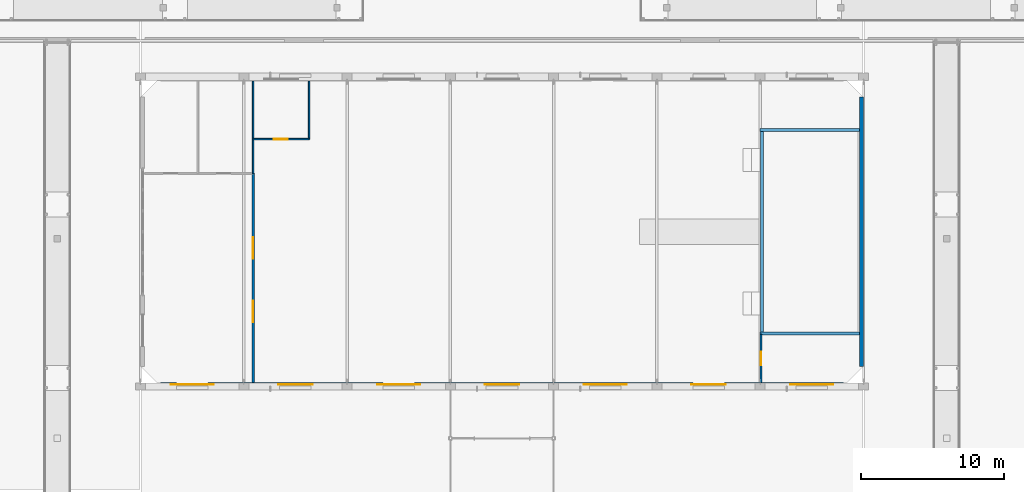
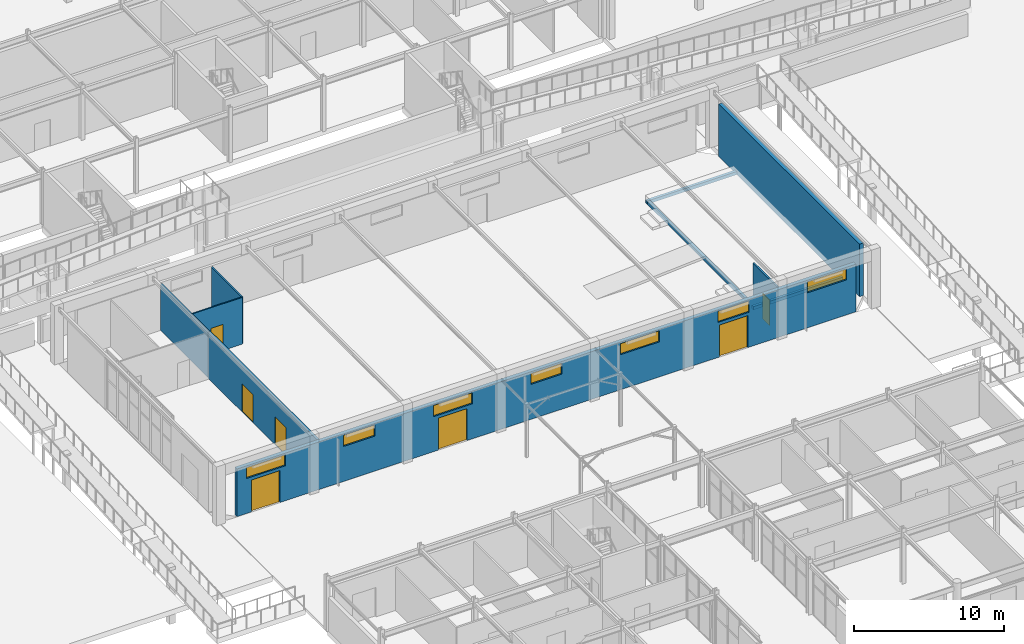
# One storey, part 58 of 85: 10 walls, 7 doors, 7 windows, 14 openings.
"""IFC4 building model written with IfcOpenShell, lengths in metres."""

from ifc_helpers import new_model, si_unit, direction, frame, frame_2d, origin, place, context, subcontext, project, spatial, rectangle, extrude, material, layer, layer_set, type_object, element, fill, save


model = new_model("IFC4")

# Units and contexts
model_context = context("Model", 3, precision=1e-05, world=origin(), true_north=direction((0.0, 1.0)))
body_context = subcontext(model_context, "Body", "Model", "MODEL_VIEW")
ifc_project = project(units=[si_unit("LENGTHUNIT", "METRE"), si_unit("AREAUNIT", "SQUARE_METRE"), si_unit("VOLUMEUNIT", "CUBIC_METRE"), si_unit("PLANEANGLEUNIT", "RADIAN"), si_unit("MASSUNIT", "GRAM", prefix="KILO")], contexts=[model_context])

# Site, building, storey
site_placement = place(None, origin())
site = spatial("IfcSite", under=ifc_project, at=site_placement, CompositionType="ELEMENT")
building_placement = place(site_placement, origin())
building = spatial("IfcBuilding", under=site, at=building_placement, Name="Ochrevale Crest", CompositionType="ELEMENT")
storey_placement = place(building_placement, origin())
storey = spatial("IfcBuildingStorey", under=building, at=storey_placement, Name="L00", CompositionType="ELEMENT", Elevation=0.0)

# Wall, openings, doors, windows
ifc_material_1 = material(Name="Clay face brickwork", Category="masonry")
ifc_layer_1 = layer(ifc_material_1, 0.2900390625)
ifc_layer_set_1 = layer_set([ifc_layer_1], Name="Clay face brickwork")
wall_type_1 = type_object("IfcWallType", Name="WL-EXT-BRICK-290", PredefinedType="SOLIDWALL", material=ifc_layer_set_1)
wall_1_placement = place(storey_placement, frame((59.0, 43.35009765625, 0.0), z_axis=(0.0, 0.0, 1.0), x_axis=(1.0, 0.0, 0.0)))
wall_1 = element("IfcWall", 1, at=wall_1_placement, inside=storey, type_object=wall_type_1, Name="Community Hall south ochre brick colonnade wall", PredefinedType="SOLIDWALL", context=body_context, shape_type="SweptSolid", body=[
    extrude(rectangle(XDim=47.60009765625, YDim=0.2900390625, at=frame_2d((23.800048828125, 0.0))), origin(), (0.0, 0.0, 1.0), 3.8798828125),
])
opening_1_placement = place(wall_1_placement, frame((3.300048828125, 0.0, 0.0), z_axis=(0.0, 0.0, 1.0), x_axis=(-1.0, 0.0, 0.0)))
opening_1 = element("IfcOpeningElement", 2, at=opening_1_placement, cuts=wall_1, Name="Opening ED03", PredefinedType="OPENING", context=body_context, shape_type="SweptSolid", body=[
    extrude(rectangle(XDim=2.199951171875, YDim=2.60009765625, at=frame_2d((1.10009765625, 1.300048828125))), frame((0.0, 0.155029296875, 0.0), z_axis=(0.0, -1.0, 0.0), x_axis=(1.0, 0.0, 0.0)), (0.0, 0.0, 1.0), 0.31005859375),
])
opening_2_placement = place(wall_1_placement, frame((17.699951171875, 0.0, 0.0), z_axis=(0.0, 0.0, 1.0), x_axis=(-1.0, 0.0, 0.0)))
opening_2 = element("IfcOpeningElement", 3, at=opening_2_placement, cuts=wall_1, Name="Opening ED03", PredefinedType="OPENING", context=body_context, shape_type="SweptSolid", body=[
    extrude(rectangle(XDim=2.199951171875, YDim=2.60009765625, at=frame_2d((1.10009765625, 1.300048828125))), frame((0.0, 0.155029296875, 0.0), z_axis=(0.0, -1.0, 0.0), x_axis=(1.0, 0.0, 0.0)), (0.0, 0.0, 1.0), 0.31005859375),
])
opening_3_placement = place(wall_1_placement, frame((39.300048828125, 0.0, 0.0), z_axis=(0.0, 0.0, 1.0), x_axis=(-1.0, 0.0, 0.0)))
opening_3 = element("IfcOpeningElement", 4, at=opening_3_placement, cuts=wall_1, Name="Opening ED03", PredefinedType="OPENING", context=body_context, shape_type="SweptSolid", body=[
    extrude(rectangle(XDim=2.199951171875, YDim=2.60009765625, at=frame_2d((1.10009765625, 1.300048828125))), frame((0.0, 0.155029296875, 0.0), z_axis=(0.0, -1.0, 0.0), x_axis=(1.0, 0.0, 0.0)), (0.0, 0.0, 1.0), 0.31005859375),
])
opening_4_placement = place(wall_1_placement, frame((0.699951171875, 0.0, 2.85009765625)))
opening_4 = element("IfcOpeningElement", 5, at=opening_4_placement, cuts=wall_1, Name="Opening W29", PredefinedType="OPENING", context=body_context, shape_type="SweptSolid", body=[
    extrude(rectangle(XDim=3.0, YDim=0.89990234375, at=frame_2d((1.5, 0.449951171875))), frame((0.0, 0.155029296875, 0.0), z_axis=(0.0, -1.0, 0.0), x_axis=(1.0, 0.0, 0.0)), (0.0, 0.0, 1.0), 0.31005859375),
])
opening_5_placement = place(wall_1_placement, frame((8.199951171875, 0.0, 2.85009765625)))
opening_5 = element("IfcOpeningElement", 6, at=opening_5_placement, cuts=wall_1, Name="Opening W28", PredefinedType="OPENING", context=body_context, shape_type="SweptSolid", body=[
    extrude(rectangle(XDim=2.39990234375, YDim=0.89990234375, at=frame_2d((1.199951171875, 0.449951171875))), frame((0.0, 0.155029296875, 0.0), z_axis=(0.0, -1.0, 0.0), x_axis=(1.0, 0.0, 0.0)), (0.0, 0.0, 1.0), 0.31005859375),
])
opening_6_placement = place(wall_1_placement, frame((15.10009765625, 0.0, 2.85009765625)))
opening_6 = element("IfcOpeningElement", 7, at=opening_6_placement, cuts=wall_1, Name="Opening W29", PredefinedType="OPENING", context=body_context, shape_type="SweptSolid", body=[
    extrude(rectangle(XDim=3.0, YDim=0.89990234375, at=frame_2d((1.5, 0.449951171875))), frame((0.0, 0.155029296875, 0.0), z_axis=(0.0, -1.0, 0.0), x_axis=(1.0, 0.0, 0.0)), (0.0, 0.0, 1.0), 0.31005859375),
])
opening_7_placement = place(wall_1_placement, frame((22.60009765625, 0.0, 2.85009765625)))
opening_7 = element("IfcOpeningElement", 8, at=opening_7_placement, cuts=wall_1, Name="Opening W28", PredefinedType="OPENING", context=body_context, shape_type="SweptSolid", body=[
    extrude(rectangle(XDim=2.39990234375, YDim=0.89990234375, at=frame_2d((1.199951171875, 0.449951171875))), frame((0.0, 0.155029296875, 0.0), z_axis=(0.0, -1.0, 0.0), x_axis=(1.0, 0.0, 0.0)), (0.0, 0.0, 1.0), 0.31005859375),
])
opening_8_placement = place(wall_1_placement, frame((29.5, 0.0, 2.85009765625)))
opening_8 = element("IfcOpeningElement", 9, at=opening_8_placement, cuts=wall_1, Name="Opening W29", PredefinedType="OPENING", context=body_context, shape_type="SweptSolid", body=[
    extrude(rectangle(XDim=3.0, YDim=0.89990234375, at=frame_2d((1.5, 0.449951171875))), frame((0.0, 0.155029296875, 0.0), z_axis=(0.0, -1.0, 0.0), x_axis=(1.0, 0.0, 0.0)), (0.0, 0.0, 1.0), 0.31005859375),
])
opening_9_placement = place(wall_1_placement, frame((37.0, 0.0, 2.85009765625)))
opening_9 = element("IfcOpeningElement", 10, at=opening_9_placement, cuts=wall_1, Name="Opening W28", PredefinedType="OPENING", context=body_context, shape_type="SweptSolid", body=[
    extrude(rectangle(XDim=2.39990234375, YDim=0.89990234375, at=frame_2d((1.199951171875, 0.449951171875))), frame((0.0, 0.155029296875, 0.0), z_axis=(0.0, -1.0, 0.0), x_axis=(1.0, 0.0, 0.0)), (0.0, 0.0, 1.0), 0.31005859375),
])
opening_10_placement = place(wall_1_placement, frame((43.89990234375, 0.0, 2.85009765625)))
opening_10 = element("IfcOpeningElement", 11, at=opening_10_placement, cuts=wall_1, Name="Opening W29", PredefinedType="OPENING", context=body_context, shape_type="SweptSolid", body=[
    extrude(rectangle(XDim=3.0, YDim=0.89990234375, at=frame_2d((1.5, 0.449951171875))), frame((0.0, 0.155029296875, 0.0), z_axis=(0.0, -1.0, 0.0), x_axis=(1.0, 0.0, 0.0)), (0.0, 0.0, 1.0), 0.31005859375),
])
ifc_material_2 = material(Name="Anodised aluminium 6063-T5 and toughened glass", Category="aluminium")
door_type_1 = type_object("IfcDoorType", Name="DR-EXT-2200", OperationType="NOTDEFINED", PredefinedType="DOOR", material=ifc_material_2)
door_1_placement = place(opening_1_placement, origin())
door_1 = element("IfcDoor", 12, at=door_1_placement, inside=storey, type_object=door_type_1, Name="Community Hall south plaza exit door 1", OperationType="DOUBLE_DOOR_SINGLE_SWING", OverallHeight=2.60009765625, OverallWidth=2.199951171875, PredefinedType="DOOR", context=body_context, shape_type="SweptSolid", body=[
    extrude(rectangle(XDim=2.199951171875, YDim=2.60009765625, at=frame_2d((1.10009765625, 1.300048828125))), frame((0.0, 0.02490234375, 0.0), z_axis=(0.0, -1.0, 0.0), x_axis=(1.0, 0.0, 0.0)), (0.0, 0.0, 1.0), 0.050048828125),
])
fill(opening_1, door_1)
door_2_placement = place(opening_2_placement, origin())
door_2 = element("IfcDoor", 13, at=door_2_placement, inside=storey, type_object=door_type_1, Name="Community Hall south plaza exit door 2", OperationType="DOUBLE_DOOR_SINGLE_SWING", OverallHeight=2.60009765625, OverallWidth=2.199951171875, PredefinedType="DOOR", context=body_context, shape_type="SweptSolid", body=[
    extrude(rectangle(XDim=2.199951171875, YDim=2.60009765625, at=frame_2d((1.10009765625, 1.300048828125))), frame((0.0, 0.02490234375, 0.0), z_axis=(0.0, -1.0, 0.0), x_axis=(1.0, 0.0, 0.0)), (0.0, 0.0, 1.0), 0.050048828125),
])
fill(opening_2, door_2)
door_3_placement = place(opening_3_placement, origin())
door_3 = element("IfcDoor", 14, at=door_3_placement, inside=storey, type_object=door_type_1, Name="Community Hall south plaza exit door 3", OperationType="DOUBLE_DOOR_SINGLE_SWING", OverallHeight=2.60009765625, OverallWidth=2.199951171875, PredefinedType="DOOR", context=body_context, shape_type="SweptSolid", body=[
    extrude(rectangle(XDim=2.199951171875, YDim=2.60009765625, at=frame_2d((1.10009765625, 1.300048828125))), frame((0.0, 0.02490234375, 0.0), z_axis=(0.0, -1.0, 0.0), x_axis=(1.0, 0.0, 0.0)), (0.0, 0.0, 1.0), 0.050048828125),
])
fill(opening_3, door_3)
ifc_material_3 = material(Name="Anodised aluminium 6063-T5 and low-E double glazing", Category="aluminium")
window_type_1 = type_object("IfcWindowType", Name="WIN-W28", PartitioningType="SINGLE_PANEL", PredefinedType="WINDOW", material=ifc_material_3)
window_1_placement = place(opening_5_placement, origin())
window_1 = element("IfcWindow", 15, at=window_1_placement, inside=storey, type_object=window_type_1, Name="Community Hall S springing clerestory window 2", OverallHeight=0.89990234375, OverallWidth=2.39990234375, PartitioningType="SINGLE_PANEL", PredefinedType="WINDOW", context=body_context, shape_type="SweptSolid", body=[
    extrude(rectangle(XDim=2.39990234375, YDim=0.89990234375, at=frame_2d((1.199951171875, 0.449951171875))), frame((0.0, 0.030029296875, 0.0), z_axis=(0.0, -1.0, 0.0), x_axis=(1.0, 0.0, 0.0)), (0.0, 0.0, 1.0), 0.06005859375),
])
fill(opening_5, window_1)
window_2_placement = place(opening_7_placement, origin())
window_2 = element("IfcWindow", 16, at=window_2_placement, inside=storey, type_object=window_type_1, Name="Community Hall S springing clerestory window 4", OverallHeight=0.89990234375, OverallWidth=2.39990234375, PartitioningType="SINGLE_PANEL", PredefinedType="WINDOW", context=body_context, shape_type="SweptSolid", body=[
    extrude(rectangle(XDim=2.39990234375, YDim=0.89990234375, at=frame_2d((1.199951171875, 0.449951171875))), frame((0.0, 0.030029296875, 0.0), z_axis=(0.0, -1.0, 0.0), x_axis=(1.0, 0.0, 0.0)), (0.0, 0.0, 1.0), 0.06005859375),
])
fill(opening_7, window_2)
window_3_placement = place(opening_9_placement, origin())
window_3 = element("IfcWindow", 17, at=window_3_placement, inside=storey, type_object=window_type_1, Name="Community Hall S springing clerestory window 6", OverallHeight=0.89990234375, OverallWidth=2.39990234375, PartitioningType="SINGLE_PANEL", PredefinedType="WINDOW", context=body_context, shape_type="SweptSolid", body=[
    extrude(rectangle(XDim=2.39990234375, YDim=0.89990234375, at=frame_2d((1.199951171875, 0.449951171875))), frame((0.0, 0.030029296875, 0.0), z_axis=(0.0, -1.0, 0.0), x_axis=(1.0, 0.0, 0.0)), (0.0, 0.0, 1.0), 0.06005859375),
])
fill(opening_9, window_3)
window_type_2 = type_object("IfcWindowType", Name="WIN-W29", PartitioningType="SINGLE_PANEL", PredefinedType="WINDOW", material=ifc_material_3)
window_4_placement = place(opening_4_placement, origin())
window_4 = element("IfcWindow", 18, at=window_4_placement, inside=storey, type_object=window_type_2, Name="Community Hall S springing clerestory window 1", OverallHeight=0.89990234375, OverallWidth=3.0, PartitioningType="SINGLE_PANEL", PredefinedType="WINDOW", context=body_context, shape_type="SweptSolid", body=[
    extrude(rectangle(XDim=3.0, YDim=0.89990234375, at=frame_2d((1.5, 0.449951171875))), frame((0.0, 0.030029296875, 0.0), z_axis=(0.0, -1.0, 0.0), x_axis=(1.0, 0.0, 0.0)), (0.0, 0.0, 1.0), 0.06005859375),
])
fill(opening_4, window_4)
window_5_placement = place(opening_6_placement, origin())
window_5 = element("IfcWindow", 19, at=window_5_placement, inside=storey, type_object=window_type_2, Name="Community Hall S springing clerestory window 3", OverallHeight=0.89990234375, OverallWidth=3.0, PartitioningType="SINGLE_PANEL", PredefinedType="WINDOW", context=body_context, shape_type="SweptSolid", body=[
    extrude(rectangle(XDim=3.0, YDim=0.89990234375, at=frame_2d((1.5, 0.449951171875))), frame((0.0, 0.030029296875, 0.0), z_axis=(0.0, -1.0, 0.0), x_axis=(1.0, 0.0, 0.0)), (0.0, 0.0, 1.0), 0.06005859375),
])
fill(opening_6, window_5)
window_6_placement = place(opening_8_placement, origin())
window_6 = element("IfcWindow", 20, at=window_6_placement, inside=storey, type_object=window_type_2, Name="Community Hall S springing clerestory window 5", OverallHeight=0.89990234375, OverallWidth=3.0, PartitioningType="SINGLE_PANEL", PredefinedType="WINDOW", context=body_context, shape_type="SweptSolid", body=[
    extrude(rectangle(XDim=3.0, YDim=0.89990234375, at=frame_2d((1.5, 0.449951171875))), frame((0.0, 0.030029296875, 0.0), z_axis=(0.0, -1.0, 0.0), x_axis=(1.0, 0.0, 0.0)), (0.0, 0.0, 1.0), 0.06005859375),
])
fill(opening_8, window_6)
window_7_placement = place(opening_10_placement, origin())
window_7 = element("IfcWindow", 21, at=window_7_placement, inside=storey, type_object=window_type_2, Name="Community Hall S springing clerestory window 7", OverallHeight=0.89990234375, OverallWidth=3.0, PartitioningType="SINGLE_PANEL", PredefinedType="WINDOW", context=body_context, shape_type="SweptSolid", body=[
    extrude(rectangle(XDim=3.0, YDim=0.89990234375, at=frame_2d((1.5, 0.449951171875))), frame((0.0, 0.030029296875, 0.0), z_axis=(0.0, -1.0, 0.0), x_axis=(1.0, 0.0, 0.0)), (0.0, 0.0, 1.0), 0.06005859375),
])
fill(opening_10, window_7)

# Wall
wall_2_placement = place(storey_placement, frame((107.85009765625, 44.60009765625, 0.0), z_axis=(0.0, 0.0, 1.0), x_axis=(0.0, 1.0, 0.0)))
element("IfcWall", 22, at=wall_2_placement, inside=storey, type_object=wall_type_1, Name="Community Hall east stage backdrop brick wall", PredefinedType="SOLIDWALL", context=body_context, shape_type="SweptSolid", body=[
    extrude(rectangle(XDim=18.7998046875, YDim=0.2900390625, at=frame_2d((9.39990234375, 0.0))), origin(), (0.0, 0.0, 1.0), 4.2763671875),
])

# Wall, opening, door
ifc_material_4 = material(Name="Gypsum plasterboard", Category="gypsum")
ifc_layer_2 = layer(ifc_material_4, 0.1201171875)
ifc_layer_set_2 = layer_set([ifc_layer_2], Name="Gypsum plasterboard")
wall_type_2 = type_object("IfcWallType", Name="WL-PART-120", PredefinedType="PARTITIONING", material=ifc_layer_set_2)
wall_3_placement = place(storey_placement, frame((100.85009765625, 43.5, 0.0), z_axis=(0.0, 0.0, 1.0), x_axis=(0.0, 1.0, 0.0)))
wall_3 = element("IfcWall", 23, at=wall_3_placement, inside=storey, type_object=wall_type_2, Name="Green room west wall", PredefinedType="PARTITIONING", context=body_context, shape_type="SweptSolid", body=[
    extrude(rectangle(XDim=3.35009765625, YDim=0.1201171875, at=frame_2d((1.675048828125, 0.0))), origin(), (0.0, 0.0, 1.0), 3.800048828125),
])
opening_11_placement = place(wall_3_placement, frame((1.199951171875, 0.0, 0.0)))
opening_11 = element("IfcOpeningElement", 24, at=opening_11_placement, cuts=wall_3, Name="Opening ID06", PredefinedType="OPENING", context=body_context, shape_type="SweptSolid", body=[
    extrude(rectangle(XDim=0.949951171875, YDim=2.080078125, at=frame_2d((0.47509765625, 1.0400390625))), frame((0.0, 0.070068359375, 0.0), z_axis=(0.0, -1.0, 0.0), x_axis=(1.0, 0.0, 0.0)), (0.0, 0.0, 1.0), 0.14013671875),
])
ifc_material_5 = material(Name="Solid-core FSC hardwood", Category="wood")
door_type_2 = type_object("IfcDoorType", Name="DR-INT-950", OperationType="NOTDEFINED", PredefinedType="DOOR", material=ifc_material_5)
door_4_placement = place(opening_11_placement, origin())
door_4 = element("IfcDoor", 25, at=door_4_placement, inside=storey, type_object=door_type_2, Name="Performers Green Room door", OperationType="SINGLE_SWING_LEFT", OverallHeight=2.080078125, OverallWidth=0.949951171875, PredefinedType="DOOR", context=body_context, shape_type="SweptSolid", body=[
    extrude(rectangle(XDim=0.949951171875, YDim=2.080078125, at=frame_2d((0.47509765625, 1.0400390625))), frame((0.0, 0.02490234375, 0.0), z_axis=(0.0, -1.0, 0.0), x_axis=(1.0, 0.0, 0.0)), (0.0, 0.0, 1.0), 0.050048828125),
])
fill(opening_11, door_4)

# Walls
ifc_material_6 = material(Name="Precast concrete C40/50", Category="concrete")
ifc_layer_3 = layer(ifc_material_6, 0.2099609375)
ifc_layer_set_3 = layer_set([ifc_layer_3], Name="Precast concrete C40/50")
wall_type_3 = type_object("IfcWallType", Name="WL-SHEAR-210", PredefinedType="SHEAR", material=ifc_layer_set_3)
wall_4_placement = place(storey_placement, frame((100.919921875, 46.89990234375, 0.0), z_axis=(0.0, 0.0, 1.0), x_axis=(0.0, 1.0, 0.0)))
element("IfcWall", 26, at=wall_4_placement, inside=storey, type_object=wall_type_3, Name="Community Hall stage support plinth wall W", PredefinedType="SHEAR", context=body_context, shape_type="SweptSolid", body=[
    extrude(rectangle(XDim=14.2001953125, YDim=0.2099609375, at=frame_2d((7.10009765625, 0.0))), origin(), (0.0, 0.0, 1.0), 0.260009765625),
])
for number, where, z_axis, x_axis, name in (
    (27, (100.800048828125, 46.919921875, 0.0), (0.0, 0.0, 1.0), (1.0, 0.0, 0.0), "Community Hall stage support plinth wall S"),
    (28, (100.800048828125, 61.080078125, 0.0), (0.0, 0.0, 1.0), (1.0, 0.0, 0.0), "Community Hall stage support plinth wall N"),
):
    element("IfcWall", number, at=place(storey_placement, frame(where, z_axis=z_axis, x_axis=x_axis)), inside=storey, type_object=wall_type_3, Name=name, PredefinedType="SHEAR", context=body_context, shape_type="SweptSolid", body=[
        extrude(rectangle(XDim=6.919921875, YDim=0.2099609375, at=frame_2d((3.4599609375, 0.0))), origin(), (0.0, 0.0, 1.0), 0.260009765625),
    ])

# Wall, openings, doors
ifc_layer_4 = layer(ifc_material_4, 0.169921875)
ifc_layer_set_4 = layer_set([ifc_layer_4], Name="Gypsum plasterboard")
wall_type_4 = type_object("IfcWallType", Name="WL-TEN-170", PredefinedType="PARTITIONING", material=ifc_layer_set_4)
wall_5_placement = place(storey_placement, frame((65.449951171875, 43.5, 0.0), z_axis=(0.0, 0.0, 1.0), x_axis=(0.0, 1.0, 0.0)))
wall_5 = element("IfcWall", 29, at=wall_5_placement, inside=storey, type_object=wall_type_4, Name="Hall foyer screen wall", PredefinedType="PARTITIONING", context=body_context, shape_type="SweptSolid", body=[
    extrude(rectangle(XDim=14.60009765625, YDim=0.169921875, at=frame_2d((7.300048828125, 0.0))), origin(), (0.0, 0.0, 1.0), 3.800048828125),
])
opening_12_placement = place(wall_5_placement, frame((4.199951171875, 0.0, 0.0)))
opening_12 = element("IfcOpeningElement", 30, at=opening_12_placement, cuts=wall_5, Name="Opening ID11", PredefinedType="OPENING", context=body_context, shape_type="SweptSolid", body=[
    extrude(rectangle(XDim=1.5, YDim=2.280029296875, at=frame_2d((0.75, 1.14013671875))), frame((0.0, 0.094970703125, 0.0), z_axis=(0.0, -1.0, 0.0), x_axis=(1.0, 0.0, 0.0)), (0.0, 0.0, 1.0), 0.18994140625),
])
opening_13_placement = place(wall_5_placement, frame((8.60009765625, 0.0, 0.0)))
opening_13 = element("IfcOpeningElement", 31, at=opening_13_placement, cuts=wall_5, Name="Opening ID11", PredefinedType="OPENING", context=body_context, shape_type="SweptSolid", body=[
    extrude(rectangle(XDim=1.5, YDim=2.280029296875, at=frame_2d((0.75, 1.14013671875))), frame((0.0, 0.094970703125, 0.0), z_axis=(0.0, -1.0, 0.0), x_axis=(1.0, 0.0, 0.0)), (0.0, 0.0, 1.0), 0.18994140625),
])
door_type_3 = type_object("IfcDoorType", Name="DR-INT-1500", OperationType="NOTDEFINED", PredefinedType="DOOR", material=ifc_material_5)
door_5_placement = place(opening_12_placement, origin())
door_5 = element("IfcDoor", 32, at=door_5_placement, inside=storey, type_object=door_type_3, Name="Hall auditorium south foyer door", OperationType="DOUBLE_DOOR_SINGLE_SWING", OverallHeight=2.280029296875, OverallWidth=1.5, PredefinedType="DOOR", context=body_context, shape_type="SweptSolid", body=[
    extrude(rectangle(XDim=1.5, YDim=2.280029296875, at=frame_2d((0.75, 1.14013671875))), frame((0.0, 0.02490234375, 0.0), z_axis=(0.0, -1.0, 0.0), x_axis=(1.0, 0.0, 0.0)), (0.0, 0.0, 1.0), 0.050048828125),
])
fill(opening_12, door_5)
door_6_placement = place(opening_13_placement, origin())
door_6 = element("IfcDoor", 33, at=door_6_placement, inside=storey, type_object=door_type_3, Name="Hall auditorium north foyer door", OperationType="DOUBLE_DOOR_SINGLE_SWING", OverallHeight=2.280029296875, OverallWidth=1.5, PredefinedType="DOOR", context=body_context, shape_type="SweptSolid", body=[
    extrude(rectangle(XDim=1.5, YDim=2.280029296875, at=frame_2d((0.75, 1.14013671875))), frame((0.0, 0.02490234375, 0.0), z_axis=(0.0, -1.0, 0.0), x_axis=(1.0, 0.0, 0.0)), (0.0, 0.0, 1.0), 0.050048828125),
])
fill(opening_13, door_6)

# Wall
ifc_layer_5 = layer(ifc_material_4, 0.10009765625)
ifc_layer_set_5 = layer_set([ifc_layer_5], Name="Gypsum plasterboard")
wall_type_5 = type_object("IfcWallType", Name="WL-WET-100", PredefinedType="PARTITIONING", material=ifc_layer_set_5)
wall_6_placement = place(storey_placement, frame((65.449951171875, 58.050048828125, 0.0), z_axis=(0.0, 0.0, 1.0), x_axis=(0.0, 1.0, 0.0)))
element("IfcWall", 34, at=wall_6_placement, inside=storey, type_object=wall_type_5, Name="Hall Female WC east wall", PredefinedType="PARTITIONING", context=body_context, shape_type="SweptSolid", body=[
    extrude(rectangle(XDim=6.449951171875, YDim=0.10009765625, at=frame_2d((3.22509765625, 0.0))), origin(), (0.0, 0.0, 1.0), 3.800048828125),
])

# Wall, opening, door
wall_7_placement = place(storey_placement, frame((65.449951171875, 60.449951171875, 0.0), z_axis=(0.0, 0.0, 1.0), x_axis=(1.0, 0.0, 0.0)))
wall_7 = element("IfcWall", 35, at=wall_7_placement, inside=storey, type_object=wall_type_5, Name="Hall Accessible WC south wall", PredefinedType="PARTITIONING", context=body_context, shape_type="SweptSolid", body=[
    extrude(rectangle(XDim=3.900146484375, YDim=0.10009765625, at=frame_2d((1.9501953125, 0.0))), origin(), (0.0, 0.0, 1.0), 3.800048828125),
])
opening_14_placement = place(wall_7_placement, frame((2.39990234375, 0.0, 0.0), z_axis=(0.0, 0.0, 1.0), x_axis=(-1.0, 0.0, 0.0)))
opening_14 = element("IfcOpeningElement", 36, at=opening_14_placement, cuts=wall_7, Name="Opening ID05", PredefinedType="OPENING", context=body_context, shape_type="SweptSolid", body=[
    extrude(rectangle(XDim=0.949951171875, YDim=2.1201171875, at=frame_2d((0.47509765625, 1.06005859375))), frame((0.0, 0.06005859375, 0.0), z_axis=(0.0, -1.0, 0.0), x_axis=(1.0, 0.0, 0.0)), (0.0, 0.0, 1.0), 0.1201171875),
])
door_type_4 = type_object("IfcDoorType", Name="DR-WC-950", OperationType="NOTDEFINED", PredefinedType="DOOR", material=ifc_material_5)
door_7_placement = place(opening_14_placement, origin())
door_7 = element("IfcDoor", 37, at=door_7_placement, inside=storey, type_object=door_type_4, Name="Hall Accessible WC door", OperationType="SINGLE_SWING_RIGHT", OverallHeight=2.1201171875, OverallWidth=0.949951171875, PredefinedType="DOOR", context=body_context, shape_type="SweptSolid", body=[
    extrude(rectangle(XDim=0.949951171875, YDim=2.1201171875, at=frame_2d((0.47509765625, 1.06005859375))), frame((0.0, 0.02490234375, 0.0), z_axis=(0.0, -1.0, 0.0), x_axis=(1.0, 0.0, 0.0)), (0.0, 0.0, 1.0), 0.050048828125),
])
fill(opening_14, door_7)

# Wall
wall_8_placement = place(storey_placement, frame((69.35009765625, 60.449951171875, 0.0), z_axis=(0.0, 0.0, 1.0), x_axis=(0.0, 1.0, 0.0)))
element("IfcWall", 38, at=wall_8_placement, inside=storey, type_object=wall_type_5, Name="Hall Accessible WC east wall", PredefinedType="PARTITIONING", context=body_context, shape_type="SweptSolid", body=[
    extrude(rectangle(XDim=4.050048828125, YDim=0.10009765625, at=frame_2d((2.02490234375, 0.0))), origin(), (0.0, 0.0, 1.0), 3.800048828125),
])

save(model, "model.ifc")
